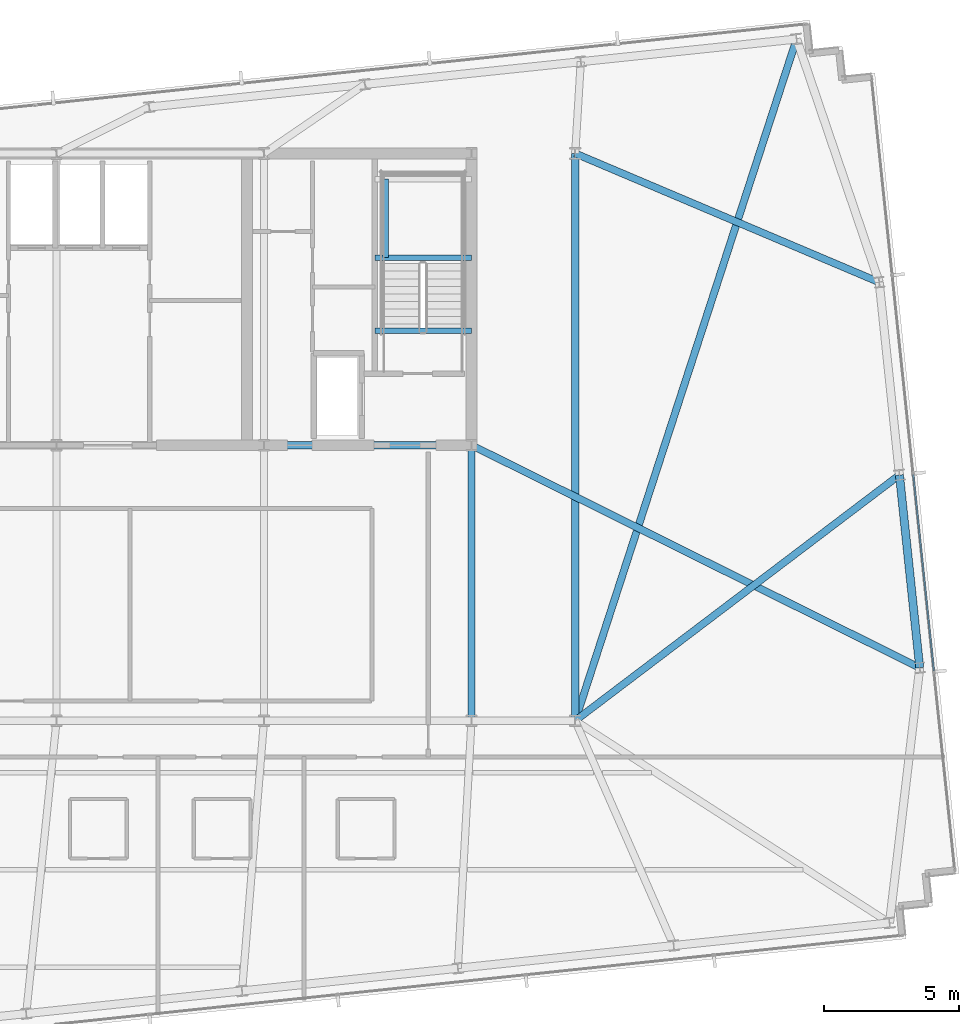
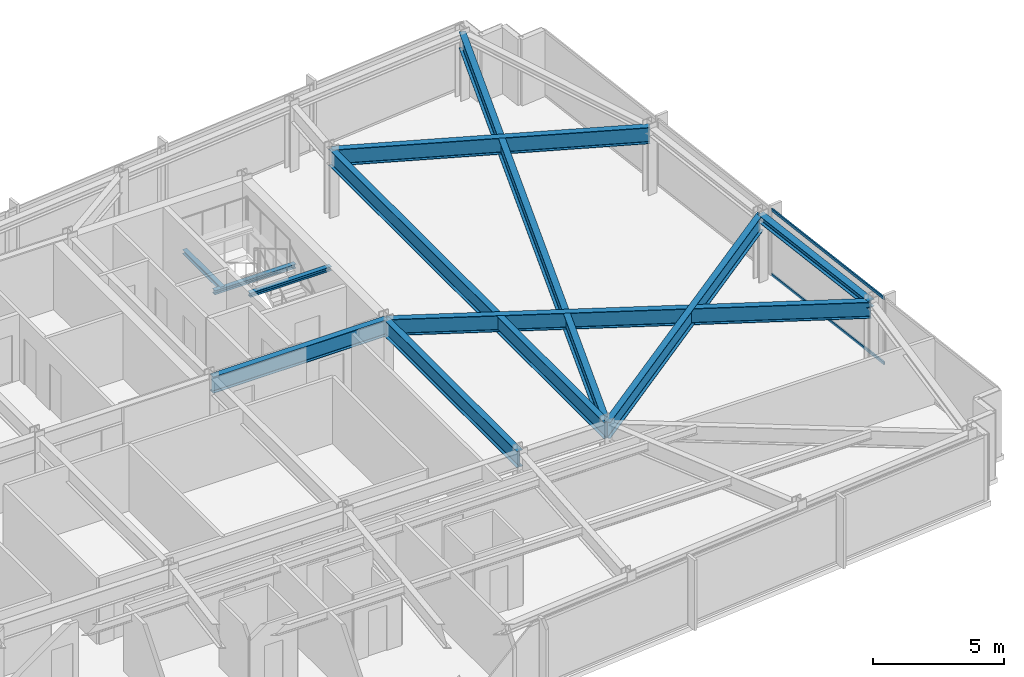
# One storey, part 18 of 33: 11 beams, 2 members, 1 element without a shape of its own.
"""IFC4 building model written with IfcOpenShell, lengths in metres."""

from ifc_helpers import new_model, si_unit, direction, frame, origin, origin_2d, place, context, subcontext, project, spatial, hollow_rectangle, i_section, extrude, material, material_profile, profile_set, type_object, element, aggregate, save


model = new_model("IFC4")

# Units and contexts
model_context = context("Model", 3, precision=1e-05, world=origin(), true_north=direction((0.0, 1.0)))
body_context = subcontext(model_context, "Body", "Model", "MODEL_VIEW")
ifc_project = project(units=[si_unit("LENGTHUNIT", "METRE"), si_unit("AREAUNIT", "SQUARE_METRE"), si_unit("VOLUMEUNIT", "CUBIC_METRE"), si_unit("PLANEANGLEUNIT", "RADIAN"), si_unit("MASSUNIT", "GRAM", prefix="KILO")], contexts=[model_context])

# Site, building, storey
site_placement = place(None, origin())
site = spatial("IfcSite", under=ifc_project, at=site_placement, CompositionType="ELEMENT")
building_placement = place(site_placement, origin())
building = spatial("IfcBuilding", under=site, at=building_placement, Name="Yelkora Congress Tower", CompositionType="ELEMENT")
storey_placement = place(building_placement, frame((0.0, 0.0, 224.300048828125)))
storey = spatial("IfcBuildingStorey", under=building, at=storey_placement, Name="L62", CompositionType="ELEMENT", Elevation=224.300048828125)

# Beams
ifc_material_1 = material(Name="Steel S355J2", Category="steel")
ifc_material_profile_1 = material_profile(ifc_material_1, i_section(OverallWidth=0.26708984375, OverallDepth=0.761962890625, WebThickness=0.014404296875, FlangeThickness=0.021484375, FilletRadius=0.01708984375, at=origin_2d()), Name="IPE 750x173")
ifc_profile_set_1 = profile_set([ifc_material_profile_1], Name="Steel S355J2")
beam_type_1 = type_object("IfcBeamType", Name="BM-GIRD-IPE750", PredefinedType="BEAM", material=ifc_profile_set_1)
beam_1_placement = place(storey_placement, frame((46.080078125, 35.39990234375, 2.698974609375), z_axis=(1.0, 0.0, 0.0), x_axis=(0.0, 1.0, 0.0)))
element("IfcBeam", 1, at=beam_1_placement, inside=storey, type_object=beam_type_1, Name="L62 Core South Girder 4", PredefinedType="BEAM", context=body_context, shape_type="SweptSolid", body=[
    extrude(i_section(OverallWidth=0.26708984375, OverallDepth=0.761962890625, WebThickness=0.014404296875, FlangeThickness=0.021484375, FilletRadius=0.01708984375, at=origin_2d()), origin(), (0.0, 0.0, 1.0), 7.679931640625),
])
beam_2_placement = place(storey_placement, frame((53.760009765625, 25.199951171875, 2.698974609375), z_axis=(0.0, 1.0, 0.0), x_axis=(-1.0, 0.0, 0.0)))
element("IfcBeam", 2, at=beam_2_placement, inside=storey, type_object=beam_type_1, Name="L62 Core Tie Girder MC-D5", PredefinedType="BEAM", context=body_context, shape_type="SweptSolid", body=[
    extrude(i_section(OverallWidth=0.26708984375, OverallDepth=0.761962890625, WebThickness=0.014404296875, FlangeThickness=0.021484375, FilletRadius=0.01708984375, at=origin_2d()), origin(), (0.0, 0.0, 1.0), 10.199951171875),
])
beam_3_placement = place(storey_placement, frame((57.60009765625, 25.199951171875, 2.698974609375), z_axis=(0.0, 1.0, 0.0), x_axis=(-1.0, 0.0, 0.0)))
element("IfcBeam", 3, at=beam_3_placement, inside=storey, type_object=beam_type_1, Name="L62 Neck Flank Girder MC-F2", PredefinedType="BEAM", context=body_context, shape_type="SweptSolid", body=[
    extrude(i_section(OverallWidth=0.26708984375, OverallDepth=0.761962890625, WebThickness=0.014404296875, FlangeThickness=0.021484375, FilletRadius=0.01708984375, at=origin_2d()), origin(), (0.0, 0.0, 1.0), 21.0),
])
beam_4_placement = place(storey_placement, frame((65.7958984375, 50.4365234375, 2.698974609375), z_axis=(-0.308878638672, -0.951101459663, 0.0), x_axis=(0.951101459663, -0.308878638672, 0.0)))
element("IfcBeam", 4, at=beam_4_placement, inside=storey, type_object=beam_type_1, Name="L62 Primary Frame Girder N07", PredefinedType="BEAM", context=body_context, shape_type="SweptSolid", body=[
    extrude(i_section(OverallWidth=0.26708984375, OverallDepth=0.761962890625, WebThickness=0.014404296875, FlangeThickness=0.021484375, FilletRadius=0.01708984375, at=origin_2d()), origin(), (0.0, 0.0, 1.0), 26.533935546875),
])
beam_5_placement = place(storey_placement, frame((70.35400390625, 27.160400390625, 2.698974609375), z_axis=(-0.895665070913, 0.444729221826, 0.0), x_axis=(-0.444729221826, -0.895665070913, 0.0)))
element("IfcBeam", 5, at=beam_5_placement, inside=storey, type_object=beam_type_1, Name="L62 Primary Frame Girder E01", PredefinedType="BEAM", context=body_context, shape_type="SweptSolid", body=[
    extrude(i_section(OverallWidth=0.26708984375, OverallDepth=0.761962890625, WebThickness=0.014404296875, FlangeThickness=0.021484375, FilletRadius=0.01708984375, at=origin_2d()), origin(), (0.0, 0.0, 1.0), 18.527099609375),
])
beam_6_placement = place(storey_placement, frame((69.60400390625, 34.296142578125, 2.698974609375), z_axis=(-0.797017901034, -0.603955681678, 0.0), x_axis=(0.603955681678, -0.797017901034, 0.0)))
element("IfcBeam", 6, at=beam_6_placement, inside=storey, type_object=beam_type_1, Name="L62 Primary Frame Girder E02", PredefinedType="BEAM", context=body_context, shape_type="SweptSolid", body=[
    extrude(i_section(OverallWidth=0.26708984375, OverallDepth=0.761962890625, WebThickness=0.014404296875, FlangeThickness=0.021484375, FilletRadius=0.01708984375, at=origin_2d()), origin(), (0.0, 0.0, 1.0), 15.06103515625),
])
beam_7_placement = place(storey_placement, frame((68.85400390625, 41.431884765625, 2.698974609375), z_axis=(-0.920767530621, 0.390111720606, 0.0), x_axis=(-0.390111720606, -0.920767530621, 0.0)))
element("IfcBeam", 7, at=beam_7_placement, inside=storey, type_object=beam_type_1, Name="L62 Primary Frame Girder E03", PredefinedType="BEAM", context=body_context, shape_type="SweptSolid", body=[
    extrude(i_section(OverallWidth=0.26708984375, OverallDepth=0.761962890625, WebThickness=0.014404296875, FlangeThickness=0.021484375, FilletRadius=0.01708984375, at=origin_2d()), origin(), (0.0, 0.0, 1.0), 12.222412109375),
])
ifc_material_profile_2 = material_profile(ifc_material_1, i_section(OverallWidth=0.199951171875, OverallDepth=0.18994140625, WebThickness=0.006591796875, FlangeThickness=0.010009765625, FilletRadius=0.01806640625, at=origin_2d()), Name="HEA 200")
ifc_profile_set_2 = profile_set([ifc_material_profile_2], Name="Steel S355J2")
beam_type_2 = type_object("IfcBeamType", Name="BM-LAND-HEA200", PredefinedType="BEAM", material=ifc_profile_set_2)
beam_8_placement = place(storey_placement, frame((50.179931640625, 42.340087890625, 1.33447265625), z_axis=(1.0, 0.0, 0.0), x_axis=(0.0, 1.0, 0.0)))
element("IfcBeam", 8, at=beam_8_placement, inside=storey, type_object=beam_type_2, Name="ST-02 L62 Landing Header Beam 1S", PredefinedType="BEAM", context=body_context, shape_type="SweptSolid", body=[
    extrude(i_section(OverallWidth=0.199951171875, OverallDepth=0.18994140625, WebThickness=0.006591796875, FlangeThickness=0.010009765625, FilletRadius=0.01806640625, at=origin_2d()), origin(), (0.0, 0.0, 1.0), 3.580078125),
])
beam_9_placement = place(storey_placement, frame((50.580078125, 42.340087890625, 1.33447265625), z_axis=(0.0, 1.0, 0.0), x_axis=(-1.0, 0.0, 0.0)))
element("IfcBeam", 9, at=beam_9_placement, inside=storey, type_object=beam_type_2, Name="ST-02 L62 Landing Trimmer Beam 1M", PredefinedType="BEAM", context=body_context, shape_type="SweptSolid", body=[
    extrude(i_section(OverallWidth=0.199951171875, OverallDepth=0.18994140625, WebThickness=0.006591796875, FlangeThickness=0.010009765625, FilletRadius=0.01806640625, at=origin_2d()), origin(), (0.0, 0.0, 1.0), 2.909912109375),
])
beam_10_placement = place(storey_placement, frame((50.179931640625, 39.639892578125, 2.853759765625), z_axis=(1.0, 0.0, 0.0), x_axis=(0.0, 1.0, 0.0)))
element("IfcBeam", 10, at=beam_10_placement, inside=storey, type_object=beam_type_2, Name="ST-02 L62 Floor Arrival Stringer Header Beam", PredefinedType="BEAM", context=body_context, shape_type="SweptSolid", body=[
    extrude(i_section(OverallWidth=0.199951171875, OverallDepth=0.18994140625, WebThickness=0.006591796875, FlangeThickness=0.010009765625, FilletRadius=0.01806640625, at=origin_2d()), origin(), (0.0, 0.0, 1.0), 3.580078125),
])
ifc_material_profile_3 = material_profile(ifc_material_1, i_section(OverallWidth=0.300048828125, OverallDepth=0.340087890625, WebThickness=0.011962890625, FlangeThickness=0.021484375, FilletRadius=0.027099609375, at=origin_2d()), Name="HEB 340")
ifc_profile_set_3 = profile_set([ifc_material_profile_3], Name="Steel S355J2")
beam_type_3 = type_object("IfcBeamType", Name="BM-SPAN-HEB340", PredefinedType="SPANDREL", material=ifc_profile_set_3)
beam_11_placement = place(storey_placement, frame((70.35400390625, 27.160400390625, 2.909912109375), z_axis=(-0.104528914631, 0.994521847928, 0.0), x_axis=(-0.994521847928, -0.104528914631, 0.0)))
element("IfcBeam", 11, at=beam_11_placement, inside=storey, type_object=beam_type_3, Name="L62 Perimeter Beam 10", PredefinedType="SPANDREL", context=body_context, shape_type="SweptSolid", body=[
    extrude(i_section(OverallWidth=0.300048828125, OverallDepth=0.340087890625, WebThickness=0.011962890625, FlangeThickness=0.021484375, FilletRadius=0.027099609375, at=origin_2d()), origin(), (0.0, 0.0, 1.0), 7.175048828125),
])

# Curtain wall, members
ifc_material_2 = material(Name="Anodised aluminium and insulated glass", Category="aluminium")
curtain_wall_type = type_object("IfcCurtainWallType", Name="CW-SYS-B4", PredefinedType="NOTDEFINED", material=ifc_material_2)
curtain_wall_placement = place(storey_placement, origin())
curtain_wall = element("IfcCurtainWall", 12, at=curtain_wall_placement, inside=storey, type_object=curtain_wall_type, Name="L62 Unitised Curtain Wall 15", PredefinedType="NOTDEFINED")
ifc_material_3 = material(Name="Anodised aluminium 6063-T6", Category="aluminium")
ifc_material_profile_4 = material_profile(ifc_material_3, hollow_rectangle(XDim=0.06005859375, YDim=0.1298828125, WallThickness=0.00390625, at=origin_2d()), Name="ALU 60x130x4")
ifc_profile_set_4 = profile_set([ifc_material_profile_4], Name="Anodised aluminium 6063-T6")
member_type = type_object("IfcMemberType", Name="MEM-TR-B4", PredefinedType="USERDEFINED", material=ifc_profile_set_4)
member_1_placement = place(storey_placement, frame((70.114501953125, 34.317138671875, 0.030029296875), z_axis=(0.104531896307, -0.994521534535, 0.0), x_axis=(0.994521534535, 0.104531896307, 0.0)))
member_1 = element("IfcMember", 13, at=member_1_placement, type_object=member_type, Name="CW-B4 transom 3.1", ObjectType="TRANSOM", PredefinedType="USERDEFINED", context=body_context, shape_type="SweptSolid", body=[
    extrude(hollow_rectangle(XDim=0.06005859375, YDim=0.1298828125, WallThickness=0.00390625, at=origin_2d()), origin(), (0.0, 0.0, 1.0), 7.31494140625),
])
member_2_placement = place(storey_placement, frame((70.114501953125, 34.317138671875, 3.050048828125), z_axis=(0.104531896307, -0.994521534535, 0.0), x_axis=(0.994521534535, 0.104531896307, 0.0)))
member_2 = element("IfcMember", 14, at=member_2_placement, type_object=member_type, Name="CW-B4 transom 3.2", ObjectType="TRANSOM", PredefinedType="USERDEFINED", context=body_context, shape_type="SweptSolid", body=[
    extrude(hollow_rectangle(XDim=0.06005859375, YDim=0.1298828125, WallThickness=0.00390625, at=origin_2d()), origin(), (0.0, 0.0, 1.0), 7.31494140625),
])
aggregate(curtain_wall, [member_1, member_2])

save(model, "model.ifc")
